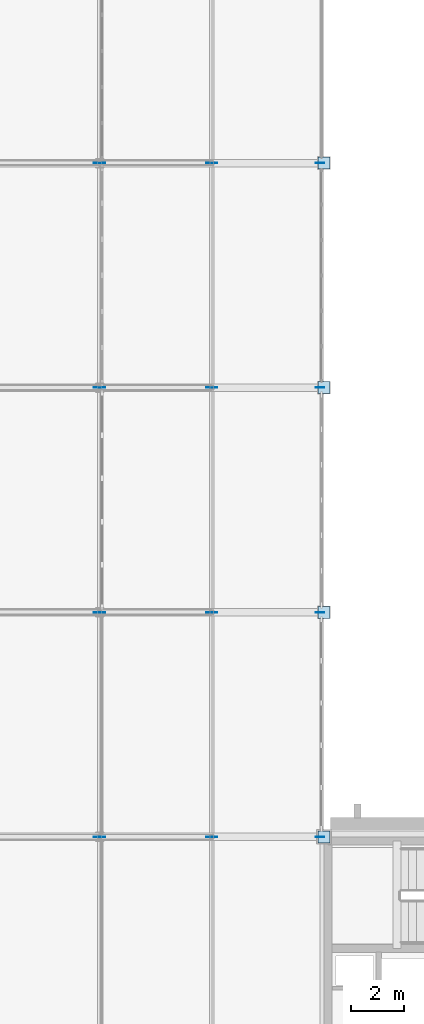
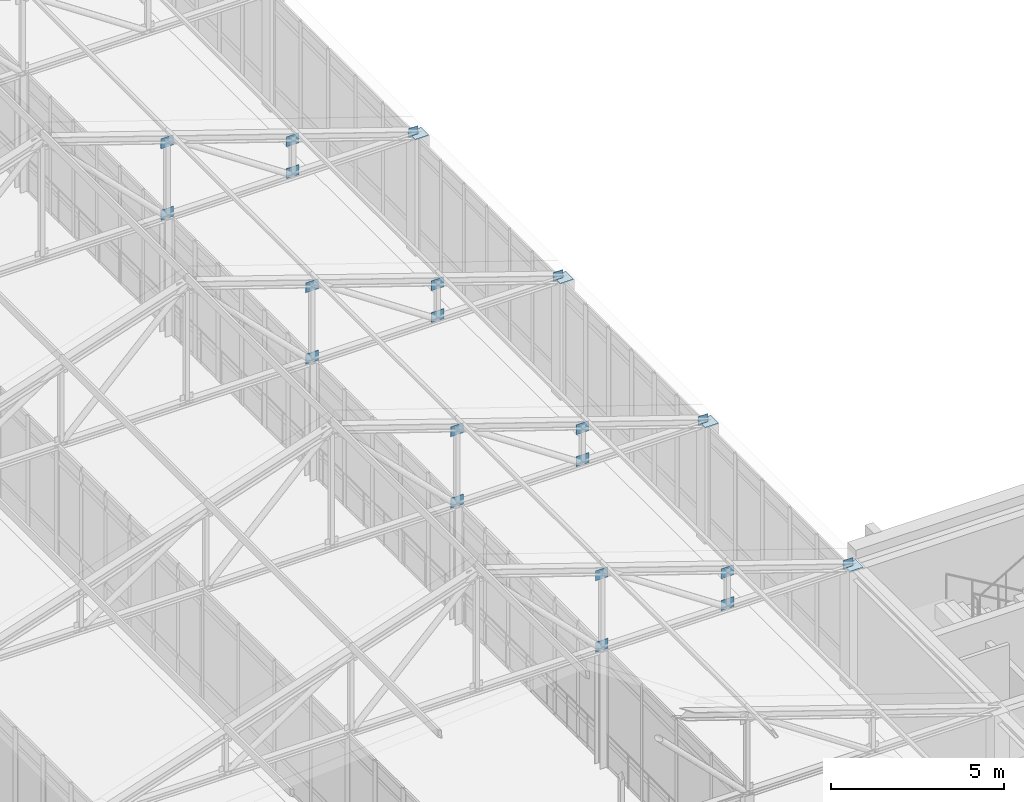
# One storey, part 145 of 192: 24 plates.
"""IFC4 building model written with IfcOpenShell, lengths in metres."""

from ifc_helpers import new_model, si_unit, direction, frame, origin, origin_2d, place, context, subcontext, project, spatial, rectangle, extrude, material, layer, layer_set, type_object, element, save


model = new_model("IFC4")

# Units and contexts
model_context = context("Model", 3, precision=1e-05, world=origin(), true_north=direction((0.0, 1.0)))
body_context = subcontext(model_context, "Body", "Model", "MODEL_VIEW")
ifc_project = project(units=[si_unit("LENGTHUNIT", "METRE"), si_unit("AREAUNIT", "SQUARE_METRE"), si_unit("VOLUMEUNIT", "CUBIC_METRE"), si_unit("PLANEANGLEUNIT", "RADIAN"), si_unit("MASSUNIT", "GRAM", prefix="KILO")], contexts=[model_context])

# Site, building, storey
site_placement = place(None, origin())
site = spatial("IfcSite", under=ifc_project, at=site_placement, CompositionType="ELEMENT")
building_placement = place(site_placement, origin())
building = spatial("IfcBuilding", under=site, at=building_placement, Name="Kveldsbrygga Polytechnic", CompositionType="ELEMENT")
storey_placement = place(building_placement, frame((0.0, 0.0, 5.43994140625)))
storey = spatial("IfcBuildingStorey", under=building, at=storey_placement, Name="L01", CompositionType="ELEMENT", Elevation=5.43994140625)

# Plates
ifc_material = material(Name="Steel S355", Category="steel")
ifc_layer_1 = layer(ifc_material, 0.030029296875)
ifc_layer_set_1 = layer_set([ifc_layer_1], Name="Steel S355")
plate_type_1 = type_object("IfcPlateType", Name="CAP-BEAR-450", PredefinedType="SHEET", material=ifc_layer_set_1)
for number, where, z_axis, x_axis, name in (
    (1, (75.60009765625, 25.199951171875, 4.08984375), (0.0, 0.0, 1.0), (1.0, 0.0, 0.0), "Truss Bearing Plate V5C-T03-B"),
    (2, (75.60009765625, 33.60009765625, 4.08984375), (0.0, 0.0, 1.0), (1.0, 0.0, 0.0), "Truss Bearing Plate V5C-T04-B"),
    (3, (75.60009765625, 42.0, 4.08984375), (0.0, 0.0, 1.0), (1.0, 0.0, 0.0), "Truss Bearing Plate V5C-T05-B"),
    (4, (75.60009765625, 50.39990234375, 4.08984375), (0.0, 0.0, 1.0), (1.0, 0.0, 0.0), "Truss Bearing Plate V5C-T06-B"),
):
    element("IfcPlate", number, at=place(storey_placement, frame(where, z_axis=z_axis, x_axis=x_axis)), inside=storey, type_object=plate_type_1, Name=name, PredefinedType="SHEET", context=body_context, shape_type="SweptSolid", body=[
        extrude(rectangle(XDim=0.449951171875, YDim=0.449951171875, at=origin_2d()), origin(), (0.0, 0.0, 1.0), 0.030029296875),
    ])
ifc_layer_2 = layer(ifc_material, 0.01806640625)
ifc_layer_set_2 = layer_set([ifc_layer_2], Name="Steel S355")
plate_type_2 = type_object("IfcPlateType", Name="GUS-BRACE-320", PredefinedType="SHEET", material=ifc_layer_set_2)
for number, where, z_axis, x_axis, name in (
    (5, (75.43994140625, 25.199951171875, 4.080078125), (0.0, 0.0, 1.0), (1.0, 0.0, 0.0), "Truss Eaves Node Gusset V5C-T03-EGP-B"),
    (6, (75.43994140625, 33.60009765625, 4.080078125), (0.0, 0.0, 1.0), (1.0, 0.0, 0.0), "Truss Eaves Node Gusset V5C-T04-EGP-B"),
    (7, (75.43994140625, 42.0, 4.080078125), (0.0, 0.0, 1.0), (1.0, 0.0, 0.0), "Truss Eaves Node Gusset V5C-T05-EGP-B"),
    (8, (75.43994140625, 50.39990234375, 4.080078125), (0.0, 0.0, 1.0), (1.0, 0.0, 0.0), "Truss Eaves Node Gusset V5C-T06-EGP-B"),
):
    element("IfcPlate", number, at=place(storey_placement, frame(where, z_axis=z_axis, x_axis=x_axis)), inside=storey, type_object=plate_type_2, Name=name, PredefinedType="SHEET", context=body_context, shape_type="SweptSolid", body=[
        extrude(rectangle(XDim=0.320068359375, YDim=0.01806640625, at=origin_2d()), origin(), (0.0, 0.0, 1.0), 0.320068359375),
    ])
ifc_layer_3 = layer(ifc_material, 0.02001953125)
ifc_layer_set_3 = layer_set([ifc_layer_3], Name="Steel S355")
plate_type_3 = type_object("IfcPlateType", Name="GUS-LECT-420", PredefinedType="SHEET", material=ifc_layer_set_3)
for number, where, z_axis, x_axis, name in (
    (9, (67.199951171875, 25.199951171875, 6.594970703125), (0.0, 0.0, 1.0), (1.0, 0.0, 0.0), "Truss Gusset Plate V5C-T03-GP-4"),
    (10, (67.199951171875, 25.199951171875, 4.06494140625), (0.0, 0.0, 1.0), (1.0, 0.0, 0.0), "Truss Bottom-Chord Node Gusset V5C-T03-BGP-4"),
    (11, (71.39990234375, 25.199951171875, 5.195068359375), (0.0, 0.0, 1.0), (1.0, 0.0, 0.0), "Truss Gusset Plate V5C-T03-GP-5"),
    (12, (71.39990234375, 25.199951171875, 4.06494140625), (0.0, 0.0, 1.0), (1.0, 0.0, 0.0), "Truss Bottom-Chord Node Gusset V5C-T03-BGP-5"),
    (13, (67.199951171875, 33.60009765625, 6.594970703125), (0.0, 0.0, 1.0), (1.0, 0.0, 0.0), "Truss Gusset Plate V5C-T04-GP-4"),
    (14, (67.199951171875, 33.60009765625, 4.06494140625), (0.0, 0.0, 1.0), (1.0, 0.0, 0.0), "Truss Bottom-Chord Node Gusset V5C-T04-BGP-4"),
    (15, (71.39990234375, 33.60009765625, 5.195068359375), (0.0, 0.0, 1.0), (1.0, 0.0, 0.0), "Truss Gusset Plate V5C-T04-GP-5"),
    (16, (71.39990234375, 33.60009765625, 4.06494140625), (0.0, 0.0, 1.0), (1.0, 0.0, 0.0), "Truss Bottom-Chord Node Gusset V5C-T04-BGP-5"),
    (17, (67.199951171875, 42.0, 6.594970703125), (0.0, 0.0, 1.0), (1.0, 0.0, 0.0), "Truss Gusset Plate V5C-T05-GP-4"),
    (18, (67.199951171875, 42.0, 4.06494140625), (0.0, 0.0, 1.0), (1.0, 0.0, 0.0), "Truss Bottom-Chord Node Gusset V5C-T05-BGP-4"),
    (19, (71.39990234375, 42.0, 5.195068359375), (0.0, 0.0, 1.0), (1.0, 0.0, 0.0), "Truss Gusset Plate V5C-T05-GP-5"),
    (20, (71.39990234375, 42.0, 4.06494140625), (0.0, 0.0, 1.0), (1.0, 0.0, 0.0), "Truss Bottom-Chord Node Gusset V5C-T05-BGP-5"),
    (21, (67.199951171875, 50.39990234375, 6.594970703125), (0.0, 0.0, 1.0), (1.0, 0.0, 0.0), "Truss Gusset Plate V5C-T06-GP-4"),
    (22, (67.199951171875, 50.39990234375, 4.06494140625), (0.0, 0.0, 1.0), (1.0, 0.0, 0.0), "Truss Bottom-Chord Node Gusset V5C-T06-BGP-4"),
    (23, (71.39990234375, 50.39990234375, 5.195068359375), (0.0, 0.0, 1.0), (1.0, 0.0, 0.0), "Truss Gusset Plate V5C-T06-GP-5"),
    (24, (71.39990234375, 50.39990234375, 4.06494140625), (0.0, 0.0, 1.0), (1.0, 0.0, 0.0), "Truss Bottom-Chord Node Gusset V5C-T06-BGP-5"),
):
    element("IfcPlate", number, at=place(storey_placement, frame(where, z_axis=z_axis, x_axis=x_axis)), inside=storey, type_object=plate_type_3, Name=name, PredefinedType="SHEET", context=body_context, shape_type="SweptSolid", body=[
        extrude(rectangle(XDim=0.419921875, YDim=0.02001953125, at=origin_2d()), origin(), (0.0, 0.0, 1.0), 0.35009765625),
    ])

save(model, "model.ifc")
